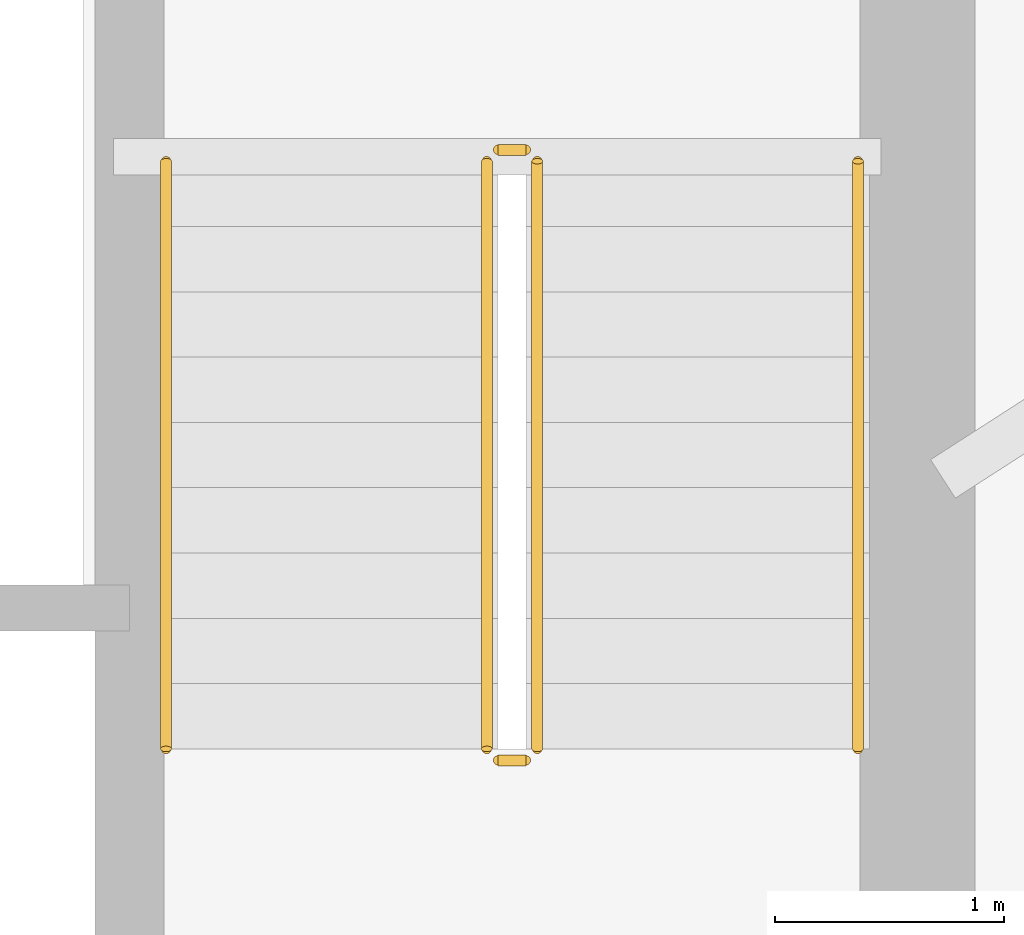
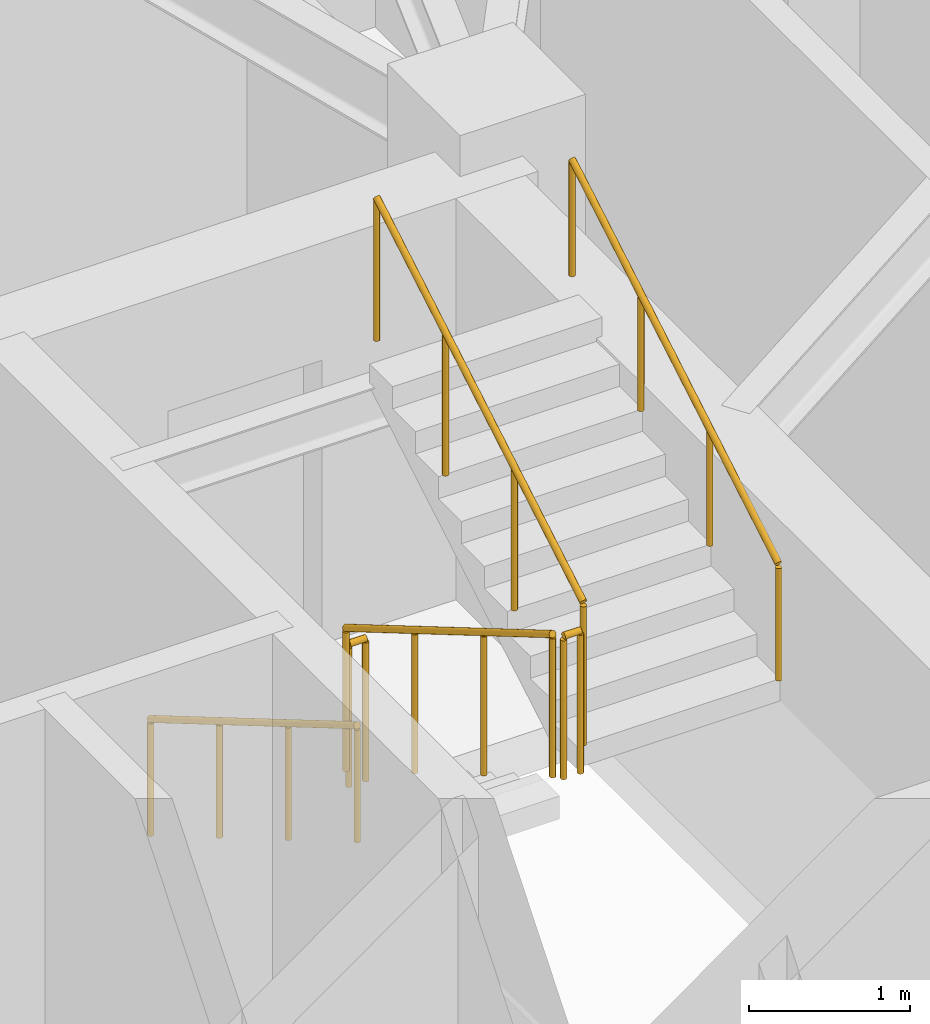
# One storey, part 18 of 18: 6 railings.
"""IFC4 building model written with IfcOpenShell, lengths in metres."""

from ifc_helpers import new_model, si_unit, direction, frame, origin, origin_2d, place, context, subcontext, project, spatial, circle, extrude, material, type_object, element, save


model = new_model("IFC4")

# Units and contexts
model_context = context("Model", 3, precision=1e-05, world=origin(), true_north=direction((0.0, 1.0)))
body_context = subcontext(model_context, "Body", "Model", "MODEL_VIEW")
ifc_project = project(units=[si_unit("LENGTHUNIT", "METRE"), si_unit("AREAUNIT", "SQUARE_METRE"), si_unit("VOLUMEUNIT", "CUBIC_METRE"), si_unit("PLANEANGLEUNIT", "RADIAN"), si_unit("MASSUNIT", "GRAM", prefix="KILO")], contexts=[model_context])

# Site, building, storey
site_placement = place(None, origin())
site = spatial("IfcSite", under=ifc_project, at=site_placement, CompositionType="ELEMENT")
building_placement = place(site_placement, origin())
building = spatial("IfcBuilding", under=site, at=building_placement, Name="Qobustan Lattice House", CompositionType="ELEMENT")
storey_placement = place(building_placement, frame((0.0, 0.0, 134.35009765625)))
storey = spatial("IfcBuildingStorey", under=building, at=storey_placement, Name="L37", CompositionType="ELEMENT", Elevation=134.35009765625)

# Railings
ifc_material_1 = material(Name="Brushed stainless steel handrail", Category="steel")
railing_type_1 = type_object("IfcRailingType", Name="RAL-HR-920", PredefinedType="HANDRAIL", material=ifc_material_1)
railing_1_placement = place(storey_placement, frame((15.179931640625, 3.5, 0.16748046875)))
element("IfcRailing", 1, at=railing_1_placement, inside=storey, type_object=railing_type_1, Name="L37 ST-E1 stair handrail 1", PredefinedType="HANDRAIL", context=body_context, shape_type="SweptSolid", body=[
    extrude(circle(Radius=0.02392578125, at=origin_2d()), frame((0.0, 0.0, 0.8759765625), z_axis=(0.0, -0.862149314443, 0.506654280161), x_axis=(1.0, 0.0, 0.0)), (0.0, 0.0, 1.0), 2.97509765625),
    extrude(circle(Radius=0.02099609375, at=origin_2d()), origin(), (0.0, 0.0, 1.0), 0.851806640625),
    extrude(circle(Radius=0.02099609375, at=origin_2d()), frame((0.0, -0.85498046875, 0.50244140625)), (0.0, 0.0, 1.0), 0.851806640625),
    extrude(circle(Radius=0.02099609375, at=origin_2d()), frame((0.0, -1.7099609375, 1.0048828125)), (0.0, 0.0, 1.0), 0.851806640625),
    extrude(circle(Radius=0.02099609375, at=origin_2d()), frame((0.0, -2.56494140625, 1.50732421875)), (0.0, 0.0, 1.0), 0.851806640625),
])
railing_2_placement = place(storey_placement, frame((18.199951171875, 0.93505859375, 1.84228515625)))
element("IfcRailing", 2, at=railing_2_placement, inside=storey, type_object=railing_type_1, Name="L37 ST-E1 stair handrail 2", PredefinedType="HANDRAIL", context=body_context, shape_type="SweptSolid", body=[
    extrude(circle(Radius=0.02392578125, at=origin_2d()), frame((0.0, 0.0, 0.8759765625), z_axis=(0.0, 0.862113467892, 0.50671527358), x_axis=(-1.0, 0.0, 0.0)), (0.0, 0.0, 1.0), 2.97509765625),
    extrude(circle(Radius=0.02099609375, at=origin_2d()), origin(), (0.0, 0.0, 1.0), 0.851806640625),
    extrude(circle(Radius=0.02099609375, at=origin_2d()), frame((0.0, 0.85498046875, 0.50244140625)), (0.0, 0.0, 1.0), 0.851806640625),
    extrude(circle(Radius=0.02099609375, at=origin_2d()), frame((0.0, 1.7099609375, 1.005126953125)), (0.0, 0.0, 1.0), 0.851806640625),
    extrude(circle(Radius=0.02099609375, at=origin_2d()), frame((0.0, 2.56494140625, 1.507568359375)), (0.0, 0.0, 1.0), 0.851806640625),
])
ifc_material_2 = material(Name="Painted galvanized steel guardrail", Category="steel")
railing_type_2 = type_object("IfcRailingType", Name="RAL-STG-1150", PredefinedType="GUARDRAIL", material=ifc_material_2)
railing_3_placement = place(storey_placement, frame((16.580078125, 3.5, 0.16748046875)))
element("IfcRailing", 3, at=railing_3_placement, inside=storey, type_object=railing_type_2, Name="L37 ST-E1 stair guard 1", PredefinedType="GUARDRAIL", context=body_context, shape_type="SweptSolid", body=[
    extrude(circle(Radius=0.02392578125, at=origin_2d()), frame((0.0, 0.0, 1.076171875), z_axis=(0.0, -0.862149314443, 0.506654280161), x_axis=(1.0, 0.0, 0.0)), (0.0, 0.0, 1.0), 2.97509765625),
    extrude(circle(Radius=0.02099609375, at=origin_2d()), origin(), (0.0, 0.0, 1.0), 1.052001953125),
    extrude(circle(Radius=0.02099609375, at=origin_2d()), frame((0.0, -0.85498046875, 0.50244140625)), (0.0, 0.0, 1.0), 1.052001953125),
    extrude(circle(Radius=0.02099609375, at=origin_2d()), frame((0.0, -1.7099609375, 1.0048828125)), (0.0, 0.0, 1.0), 1.052001953125),
    extrude(circle(Radius=0.02099609375, at=origin_2d()), frame((0.0, -2.56494140625, 1.50732421875)), (0.0, 0.0, 1.0), 1.052001953125),
])
railing_4_placement = place(storey_placement, frame((16.6298828125, 0.885009765625, 1.6748046875)))
element("IfcRailing", 4, at=railing_4_placement, inside=storey, type_object=railing_type_2, Name="L37 ST-E1 stair guard 2", PredefinedType="GUARDRAIL", context=body_context, shape_type="SweptSolid", body=[
    extrude(circle(Radius=0.02392578125, at=origin_2d()), frame((0.0, 0.0, 1.076171875), z_axis=(1.0, 0.0, 0.0), x_axis=(0.0, 1.0, 0.0)), (0.0, 0.0, 1.0), 0.1201171875),
    extrude(circle(Radius=0.02099609375, at=origin_2d()), origin(), (0.0, 0.0, 1.0), 1.052001953125),
    extrude(circle(Radius=0.02099609375, at=origin_2d()), frame((0.1201171875, 0.0, 0.0)), (0.0, 0.0, 1.0), 1.052001953125),
])
railing_5_placement = place(storey_placement, frame((16.800048828125, 0.93505859375, 1.84228515625)))
element("IfcRailing", 5, at=railing_5_placement, inside=storey, type_object=railing_type_2, Name="L37 ST-E1 stair guard 3", PredefinedType="GUARDRAIL", context=body_context, shape_type="SweptSolid", body=[
    extrude(circle(Radius=0.02392578125, at=origin_2d()), frame((0.0, 0.0, 1.076171875), z_axis=(0.0, 0.862113467892, 0.50671527358), x_axis=(-1.0, 0.0, 0.0)), (0.0, 0.0, 1.0), 2.97509765625),
    extrude(circle(Radius=0.02099609375, at=origin_2d()), origin(), (0.0, 0.0, 1.0), 1.052001953125),
    extrude(circle(Radius=0.02099609375, at=origin_2d()), frame((0.0, 0.85498046875, 0.50244140625)), (0.0, 0.0, 1.0), 1.052001953125),
    extrude(circle(Radius=0.02099609375, at=origin_2d()), frame((0.0, 1.7099609375, 1.005126953125)), (0.0, 0.0, 1.0), 1.052001953125),
    extrude(circle(Radius=0.02099609375, at=origin_2d()), frame((0.0, 2.56494140625, 1.507568359375)), (0.0, 0.0, 1.0), 1.052001953125),
])
railing_6_placement = place(storey_placement, frame((16.6298828125, 3.550048828125, 0.0)))
element("IfcRailing", 6, at=railing_6_placement, inside=storey, type_object=railing_type_2, Name="L37 ST-E1 stair guard 4", PredefinedType="GUARDRAIL", context=body_context, shape_type="SweptSolid", body=[
    extrude(circle(Radius=0.02392578125, at=origin_2d()), frame((0.0, 0.0, 1.076171875), z_axis=(1.0, 0.0, 0.0), x_axis=(0.0, 1.0, 0.0)), (0.0, 0.0, 1.0), 0.1201171875),
    extrude(circle(Radius=0.02099609375, at=origin_2d()), origin(), (0.0, 0.0, 1.0), 1.052001953125),
    extrude(circle(Radius=0.02099609375, at=origin_2d()), frame((0.1201171875, 0.0, 0.0)), (0.0, 0.0, 1.0), 1.052001953125),
])

save(model, "model.ifc")
